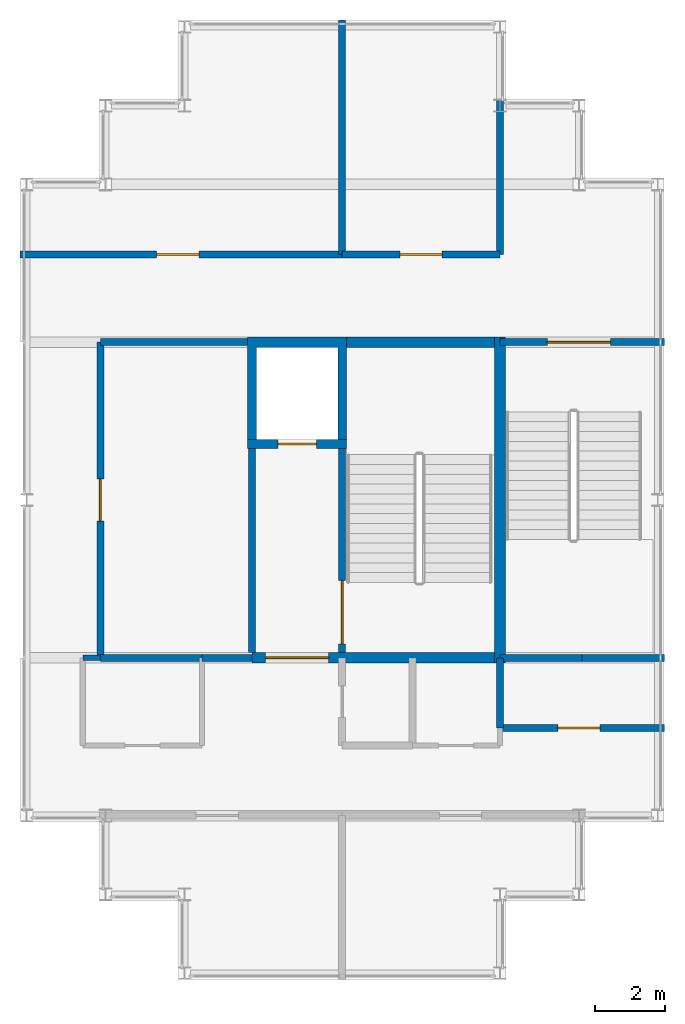
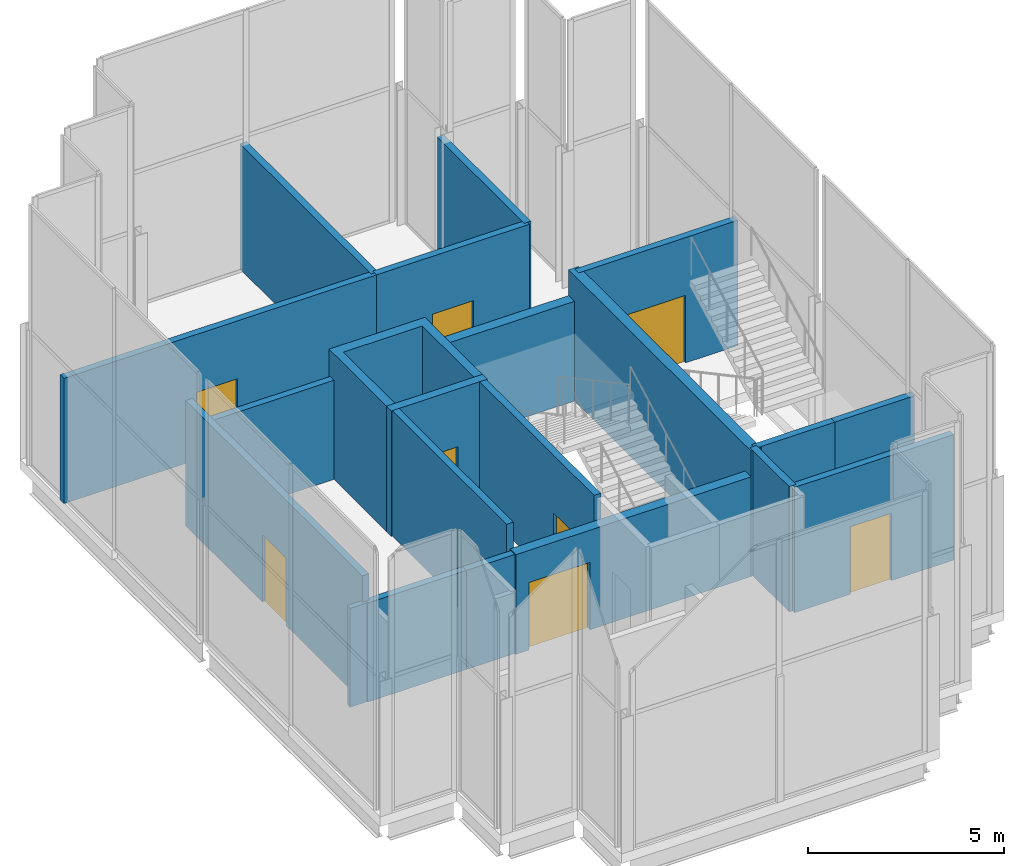
# One storey, part 5 of 8: 21 walls, 8 doors, 8 openings.
"""IFC4 building model written with IfcOpenShell, lengths in metres."""

from ifc_helpers import new_model, si_unit, direction, frame, frame_2d, origin, place, context, subcontext, project, spatial, polyline, rectangle, outline, extrude, material, layer, layer_set, type_object, element, fill, save


model = new_model("IFC4")

# Units and contexts
model_context = context("Model", 3, precision=1e-05, world=origin(), true_north=direction((0.0, 1.0)))
body_context = subcontext(model_context, "Body", "Model", "MODEL_VIEW")
ifc_project = project(units=[si_unit("LENGTHUNIT", "METRE"), si_unit("AREAUNIT", "SQUARE_METRE"), si_unit("VOLUMEUNIT", "CUBIC_METRE"), si_unit("PLANEANGLEUNIT", "RADIAN"), si_unit("MASSUNIT", "GRAM", prefix="KILO")], contexts=[model_context])

# Site, building, storey
site_placement = place(None, origin())
site = spatial("IfcSite", under=ifc_project, at=site_placement, CompositionType="ELEMENT")
building_placement = place(site_placement, origin())
building = spatial("IfcBuilding", under=site, at=building_placement, Name="Caravel Reach Hotel and Residences", CompositionType="ELEMENT")
storey_placement = place(building_placement, frame((0.0, 0.0, 325.39990234375)))
storey = spatial("IfcBuildingStorey", under=building, at=storey_placement, Name="L82", CompositionType="ELEMENT", Elevation=325.39990234375)

# Wall, opening, door
ifc_material_1 = material(Name="Autoclaved aerated block wall")
ifc_layer_1 = layer(ifc_material_1, 0.199951171875)
ifc_layer_set_1 = layer_set([ifc_layer_1], Name="Compartment wall 200 mm EI 120")
wall_type_1 = type_object("IfcWallType", Name="Compartment wall 200 mm EI 120", PredefinedType="PARTITIONING", material=ifc_layer_set_1)
wall_1_placement = place(storey_placement, frame((45.0, 20.5, 0.0), z_axis=(0.0, 0.0, 1.0), x_axis=(1.0, 0.0, 0.0)))
wall_1 = element("IfcWall", 1, at=wall_1_placement, inside=storey, type_object=wall_type_1, Name="L82 wall w010", PredefinedType="PARTITIONING", context=body_context, shape_type="SweptSolid", body=[
    extrude(rectangle(XDim=4.68994140625, YDim=0.199951171875, at=frame_2d((2.344970703125, 0.0))), origin(), (0.0, 0.0, 1.0), 3.900146484375),
])
opening_1_placement = place(wall_1_placement, frame((1.64990234375, 0.0, 0.0)))
opening_1 = element("IfcOpeningElement", 2, at=opening_1_placement, cuts=wall_1, Name="Opening D82-010", PredefinedType="OPENING", context=body_context, shape_type="SweptSolid", body=[
    extrude(rectangle(XDim=1.199951171875, YDim=2.10009765625, at=frame_2d((0.60009765625, 1.050048828125))), frame((0.0, 0.10986328125, 0.0), z_axis=(0.0, -1.0, 0.0), x_axis=(1.0, 0.0, 0.0)), (0.0, 0.0, 1.0), 0.219970703125),
])
ifc_material_2 = material(Name="Steel fire door leaf", Category="steel")
door_type_1 = type_object("IfcDoorType", Name="Plant room door 1200 x 2100 EI 60", OperationType="SINGLE_SWING_LEFT", PredefinedType="DOOR", material=ifc_material_2)
door_1_placement = place(opening_1_placement, origin())
door_1 = element("IfcDoor", 3, at=door_1_placement, inside=storey, type_object=door_type_1, Name="door D82-010", OperationType="SINGLE_SWING_RIGHT", OverallHeight=2.10009765625, OverallWidth=1.199951171875, PredefinedType="DOOR", context=body_context, shape_type="SweptSolid", body=[
    extrude(rectangle(XDim=1.199951171875, YDim=2.10009765625, at=frame_2d((0.60009765625, 1.050048828125))), frame((0.0, 0.02490234375, 0.0), z_axis=(0.0, -1.0, 0.0), x_axis=(1.0, 0.0, 0.0)), (0.0, 0.0, 1.0), 0.050048828125),
])
fill(opening_1, door_1)

# Walls
wall_2_placement = place(storey_placement, frame((36.5, 22.5, 0.0), z_axis=(0.0, 0.0, 1.0), x_axis=(1.0, 0.0, 0.0)))
element("IfcWall", 4, at=wall_2_placement, inside=storey, type_object=wall_type_1, Name="L82 wall w011", PredefinedType="PARTITIONING", context=body_context, shape_type="SweptSolid", body=[
    extrude(rectangle(XDim=1.428466796875, YDim=0.199951171875, at=frame_2d((0.71435546875, 0.0))), origin(), (0.0, 0.0, 1.0), 3.080078125),
])
wall_3_placement = place(storey_placement, frame((33.60009765625, 22.5, 0.0), z_axis=(0.0, 0.0, 1.0), x_axis=(1.0, 0.0, 0.0)))
element("IfcWall", 5, at=wall_3_placement, inside=storey, type_object=wall_type_1, Name="L82 wall w012", PredefinedType="PARTITIONING", context=body_context, shape_type="SweptSolid", body=[
    extrude(rectangle(XDim=2.89990234375, YDim=0.199951171875, at=frame_2d((1.449951171875, 0.0))), origin(), (0.0, 0.0, 1.0), 3.080078125),
])
wall_4_placement = place(storey_placement, frame((33.60009765625, 31.5, 0.0), z_axis=(0.0, 0.0, 1.0), x_axis=(1.0, 0.0, 0.0)))
element("IfcWall", 6, at=wall_4_placement, inside=storey, type_object=wall_type_1, Name="L82 wall w013", PredefinedType="PARTITIONING", context=body_context, shape_type="SweptSolid", body=[
    extrude(rectangle(XDim=4.203369140625, YDim=0.199951171875, at=frame_2d((2.1015625, 0.0))), origin(), (0.0, 0.0, 1.0), 3.080078125),
])

# Wall, opening, door
wall_5_placement = place(storey_placement, frame((31.31005859375, 34.0, 0.0), z_axis=(0.0, 0.0, 1.0), x_axis=(1.0, 0.0, 0.0)))
wall_5 = element("IfcWall", 7, at=wall_5_placement, inside=storey, type_object=wall_type_1, Name="L82 wall w014", PredefinedType="PARTITIONING", context=body_context, shape_type="SweptSolid", body=[
    extrude(rectangle(XDim=9.18994140625, YDim=0.199951171875, at=frame_2d((4.594970703125, 0.0))), origin(), (0.0, 0.0, 1.0), 3.900146484375),
])
opening_2_placement = place(wall_5_placement, frame((3.89990234375, 0.0, 0.0)))
opening_2 = element("IfcOpeningElement", 8, at=opening_2_placement, cuts=wall_5, Name="Opening D82-012", PredefinedType="OPENING", context=body_context, shape_type="SweptSolid", body=[
    extrude(rectangle(XDim=1.199951171875, YDim=2.10009765625, at=frame_2d((0.60009765625, 1.050048828125))), frame((0.0, 0.10986328125, 0.0), z_axis=(0.0, -1.0, 0.0), x_axis=(1.0, 0.0, 0.0)), (0.0, 0.0, 1.0), 0.219970703125),
])
door_2_placement = place(opening_2_placement, origin())
door_2 = element("IfcDoor", 9, at=door_2_placement, inside=storey, type_object=door_type_1, Name="door D82-012", OperationType="SINGLE_SWING_LEFT", OverallHeight=2.10009765625, OverallWidth=1.199951171875, PredefinedType="DOOR", context=body_context, shape_type="SweptSolid", body=[
    extrude(rectangle(XDim=1.199951171875, YDim=2.10009765625, at=frame_2d((0.60009765625, 1.050048828125))), frame((0.0, 0.02490234375, 0.0), z_axis=(0.0, -1.0, 0.0), x_axis=(1.0, 0.0, 0.0)), (0.0, 0.0, 1.0), 0.050048828125),
])
fill(opening_2, door_2)

wall_6_placement = place(storey_placement, frame((40.5, 34.0, 0.0), z_axis=(0.0, 0.0, 1.0), x_axis=(1.0, 0.0, 0.0)))
wall_6 = element("IfcWall", 10, at=wall_6_placement, inside=storey, type_object=wall_type_1, Name="L82 wall w015", PredefinedType="PARTITIONING", context=body_context, shape_type="SweptSolid", body=[
    extrude(rectangle(XDim=4.5, YDim=0.199951171875, at=frame_2d((2.25, 0.0))), origin(), (0.0, 0.0, 1.0), 3.900146484375),
])
opening_3_placement = place(wall_6_placement, frame((1.64990234375, 0.0, 0.0)))
opening_3 = element("IfcOpeningElement", 11, at=opening_3_placement, cuts=wall_6, Name="Opening D82-013", PredefinedType="OPENING", context=body_context, shape_type="SweptSolid", body=[
    extrude(rectangle(XDim=1.199951171875, YDim=2.10009765625, at=frame_2d((0.60009765625, 1.050048828125))), frame((0.0, 0.10986328125, 0.0), z_axis=(0.0, -1.0, 0.0), x_axis=(1.0, 0.0, 0.0)), (0.0, 0.0, 1.0), 0.219970703125),
])
door_3_placement = place(opening_3_placement, origin())
door_3 = element("IfcDoor", 12, at=door_3_placement, inside=storey, type_object=door_type_1, Name="door D82-013", OperationType="SINGLE_SWING_RIGHT", OverallHeight=2.10009765625, OverallWidth=1.199951171875, PredefinedType="DOOR", context=body_context, shape_type="SweptSolid", body=[
    extrude(rectangle(XDim=1.199951171875, YDim=2.10009765625, at=frame_2d((0.60009765625, 1.050048828125))), frame((0.0, 0.02490234375, 0.0), z_axis=(0.0, -1.0, 0.0), x_axis=(1.0, 0.0, 0.0)), (0.0, 0.0, 1.0), 0.050048828125),
])
fill(opening_3, door_3)

wall_7_placement = place(storey_placement, frame((33.60009765625, 22.5, 0.0), z_axis=(0.0, 0.0, 1.0), x_axis=(0.0, 1.0, 0.0)))
wall_7 = element("IfcWall", 13, at=wall_7_placement, inside=storey, type_object=wall_type_1, Name="L82 wall w016", PredefinedType="PARTITIONING", context=body_context, shape_type="SweptSolid", body=[
    extrude(rectangle(XDim=9.0, YDim=0.199951171875, at=frame_2d((4.5, 0.0))), origin(), (0.0, 0.0, 1.0), 3.900146484375),
])
opening_4_placement = place(wall_7_placement, frame((3.89990234375, 0.0, 0.0)))
opening_4 = element("IfcOpeningElement", 14, at=opening_4_placement, cuts=wall_7, Name="Opening D82-009", PredefinedType="OPENING", context=body_context, shape_type="SweptSolid", body=[
    extrude(rectangle(XDim=1.199951171875, YDim=2.10009765625, at=frame_2d((0.60009765625, 1.050048828125))), frame((0.0, 0.10986328125, 0.0), z_axis=(0.0, -1.0, 0.0), x_axis=(1.0, 0.0, 0.0)), (0.0, 0.0, 1.0), 0.219970703125),
])
door_4_placement = place(opening_4_placement, origin())
door_4 = element("IfcDoor", 15, at=door_4_placement, inside=storey, type_object=door_type_1, Name="door D82-009", OperationType="SINGLE_SWING_LEFT", OverallHeight=2.10009765625, OverallWidth=1.199951171875, PredefinedType="DOOR", context=body_context, shape_type="SweptSolid", body=[
    extrude(rectangle(XDim=1.199951171875, YDim=2.10009765625, at=frame_2d((0.60009765625, 1.050048828125))), frame((0.0, 0.02490234375, 0.0), z_axis=(0.0, -1.0, 0.0), x_axis=(1.0, 0.0, 0.0)), (0.0, 0.0, 1.0), 0.050048828125),
])
fill(opening_4, door_4)

# Walls
wall_8_placement = place(storey_placement, frame((40.5, 34.0, 0.0), z_axis=(0.0, 0.0, 1.0), x_axis=(0.0, 1.0, 0.0)))
element("IfcWall", 16, at=wall_8_placement, inside=storey, type_object=wall_type_1, Name="L82 wall w019", PredefinedType="PARTITIONING", context=body_context, shape_type="SweptSolid", body=[
    extrude(rectangle(XDim=6.68994140625, YDim=0.199951171875, at=frame_2d((3.344970703125, 0.0))), origin(), (0.0, 0.0, 1.0), 3.900146484375),
])
wall_9_placement = place(storey_placement, frame((45.0, 20.5, 0.0), z_axis=(0.0, 0.0, 1.0), x_axis=(0.0, 1.0, 0.0)))
element("IfcWall", 17, at=wall_9_placement, inside=storey, type_object=wall_type_1, Name="L82 wall w021", PredefinedType="PARTITIONING", context=body_context, shape_type="SweptSolid", body=[
    extrude(rectangle(XDim=2.0, YDim=0.199951171875, at=frame_2d((1.0, 0.0))), origin(), (0.0, 0.0, 1.0), 3.900146484375),
])
wall_10_placement = place(storey_placement, frame((45.0, 34.0, 0.0), z_axis=(0.0, 0.0, 1.0), x_axis=(0.0, 1.0, 0.0)))
element("IfcWall", 18, at=wall_10_placement, inside=storey, type_object=wall_type_1, Name="L82 wall w022", PredefinedType="PARTITIONING", context=body_context, shape_type="SweptSolid", body=[
    extrude(rectangle(XDim=4.43994140625, YDim=0.199951171875, at=frame_2d((2.219970703125, 0.0))), origin(), (0.0, 0.0, 1.0), 3.900146484375),
])

# Wall, opening, door
ifc_material_3 = material(Name="Concrete C60", Category="concrete")
ifc_layer_2 = layer(ifc_material_3, 0.300048828125)
ifc_layer_set_2 = layer_set([ifc_layer_2], Name="Core wall 300 mm EI 120")
wall_type_2 = type_object("IfcWallType", Name="Core wall 300 mm EI 120", PredefinedType="SHEAR", material=ifc_layer_set_2)
wall_11_placement = place(storey_placement, frame((37.928466796875, 22.5, 0.0), z_axis=(0.0, 0.0, 1.0), x_axis=(1.0, 0.0, 0.0)))
wall_11 = element("IfcWall", 19, at=wall_11_placement, inside=storey, type_object=wall_type_2, Name="L82 core wall S1", PredefinedType="SHEAR", context=body_context, shape_type="SweptSolid", body=[
    extrude(rectangle(XDim=6.921630859375, YDim=0.300048828125, at=frame_2d((3.4609375, 0.0))), origin(), (0.0, 0.0, 1.0), 3.10009765625),
])
opening_5_placement = place(wall_11_placement, frame((0.3857421875, 0.0, 0.0)))
opening_5 = element("IfcOpeningElement", 20, at=opening_5_placement, cuts=wall_11, Name="Opening D82-003", PredefinedType="OPENING", context=body_context, shape_type="SweptSolid", body=[
    extrude(rectangle(XDim=1.800048828125, YDim=2.10009765625, at=frame_2d((0.89990234375, 1.050048828125))), frame((0.0, 0.159912109375, 0.0), z_axis=(0.0, -1.0, 0.0), x_axis=(1.0, 0.0, 0.0)), (0.0, 0.0, 1.0), 0.320068359375),
])
ifc_material_4 = material(Name="Steel fire door leaf", Category="steel")
door_type_2 = type_object("IfcDoorType", Name="Fire lobby door pair 1800 x 2100 EI 90", OperationType="DOUBLE_DOOR_SINGLE_SWING", PredefinedType="DOOR", material=ifc_material_4)
door_5_placement = place(opening_5_placement, origin())
door_5 = element("IfcDoor", 21, at=door_5_placement, inside=storey, type_object=door_type_2, Name="lobby S door pair to corridor", OperationType="DOUBLE_DOOR_SINGLE_SWING", OverallHeight=2.10009765625, OverallWidth=1.800048828125, PredefinedType="DOOR", context=body_context, shape_type="SweptSolid", body=[
    extrude(rectangle(XDim=1.800048828125, YDim=2.10009765625, at=frame_2d((0.89990234375, 1.050048828125))), frame((0.0, 0.02490234375, 0.0), z_axis=(0.0, -1.0, 0.0), x_axis=(1.0, 0.0, 0.0)), (0.0, 0.0, 1.0), 0.050048828125),
])
fill(opening_5, door_5)

# Walls
wall_12_placement = place(storey_placement, frame((40.625, 31.5, 0.0), z_axis=(0.0, 0.0, 1.0), x_axis=(1.0, 0.0, 0.0)))
element("IfcWall", 22, at=wall_12_placement, inside=storey, type_object=wall_type_2, Name="L82 core wall N1", PredefinedType="SHEAR", context=body_context, shape_type="SweptSolid", body=[
    extrude(rectangle(XDim=4.22509765625, YDim=0.300048828125, at=frame_2d((2.112548828125, 0.0))), origin(), (0.0, 0.0, 1.0), 3.10009765625),
])
wall_13_placement = place(storey_placement, frame((45.0, 22.35009765625, 0.0), z_axis=(0.0, 0.0, 1.0), x_axis=(0.0, 1.0, 0.0)))
element("IfcWall", 23, at=wall_13_placement, inside=storey, type_object=wall_type_2, Name="L82 core wall E", PredefinedType="SHEAR", context=body_context, shape_type="SweptSolid", body=[
    extrude(rectangle(XDim=9.2998046875, YDim=0.300048828125, at=frame_2d((4.64990234375, 0.0))), origin(), (0.0, 0.0, 1.0), 3.900146484375),
])
ifc_material_5 = material(Name="Gypsum board on steel stud, fire-rated", Category="steel")
ifc_layer_3 = layer(ifc_material_5, 0.14990234375)
ifc_layer_set_3 = layer_set([ifc_layer_3], Name="Corridor wall 150 mm EI 60")
wall_type_3 = type_object("IfcWallType", Name="Corridor wall 150 mm EI 60", PredefinedType="PARTITIONING", material=ifc_layer_set_3)
wall_14_placement = place(storey_placement, frame((33.10009765625, 22.5, 0.0), z_axis=(0.0, 0.0, 1.0), x_axis=(1.0, 0.0, 0.0)))
element("IfcWall", 24, at=wall_14_placement, inside=storey, type_object=wall_type_3, Name="L82 wall w003", PredefinedType="PARTITIONING", context=body_context, shape_type="SweptSolid", body=[
    extrude(rectangle(XDim=0.5, YDim=0.14990234375, at=frame_2d((0.25, 0.0))), origin(), (0.0, 0.0, 1.0), 3.080078125),
])
ifc_material_6 = material(Name="Autoclaved aerated block wall")
ifc_layer_4 = layer(ifc_material_6, 0.199951171875)
ifc_layer_set_4 = layer_set([ifc_layer_4], Name="Fire lobby wall 200 mm EI 120")
wall_type_4 = type_object("IfcWallType", Name="Fire lobby wall 200 mm EI 120", PredefinedType="PARTITIONING", material=ifc_layer_set_4)
wall_15_placement = place(storey_placement, frame((37.928466796875, 22.64990234375, 0.0), z_axis=(0.0, 0.0, 1.0), x_axis=(0.0, 1.0, 0.0)))
element("IfcWall", 25, at=wall_15_placement, inside=storey, type_object=wall_type_4, Name="L82 lobby E closing wall", PredefinedType="PARTITIONING", context=body_context, shape_type="SweptSolid", body=[
    extrude(rectangle(XDim=5.8251953125, YDim=0.199951171875, at=frame_2d((2.91259765625, 0.0))), origin(), (0.0, 0.0, 1.0), 3.900146484375),
])
ifc_material_7 = material(Name="Concrete C60", Category="concrete")
ifc_layer_5 = layer(ifc_material_7, 0.25)
ifc_layer_set_5 = layer_set([ifc_layer_5], Name="Shaft wall 250 mm EI 120")
wall_type_5 = type_object("IfcWallType", Name="Shaft wall 250 mm EI 120", PredefinedType="SHEAR", material=ifc_layer_set_5)
wall_16_placement = place(storey_placement, origin())
element("IfcWall", 26, at=wall_16_placement, inside=storey, type_object=wall_type_5, Name="L82 lift shaft wall N1", PredefinedType="SHEAR", context=body_context, shape_type="SweptSolid", body=[
    extrude(outline(polyline([(37.803466796875, 28.72509765625), (38.053466796875, 28.72509765625), (38.053466796875, 31.35009765625), (40.375, 31.35009765625), (40.375, 28.72509765625), (40.625, 28.72509765625), (40.625, 31.64990234375), (37.803466796875, 31.64990234375), (37.803466796875, 28.72509765625)])), origin(), (0.0, 0.0, 1.0), 3.900146484375),
])

# Wall, opening, door
wall_17_placement = place(storey_placement, frame((37.803466796875, 28.60009765625, 0.0), z_axis=(0.0, 0.0, 1.0), x_axis=(1.0, 0.0, 0.0)))
wall_17 = element("IfcWall", 27, at=wall_17_placement, inside=storey, type_object=wall_type_5, Name="L82 lobby wall N1", PredefinedType="SHEAR", context=body_context, shape_type="SweptSolid", body=[
    extrude(rectangle(XDim=2.821533203125, YDim=0.25, at=frame_2d((1.41064453125, 0.0))), origin(), (0.0, 0.0, 1.0), 3.900146484375),
])
opening_6_placement = place(wall_17_placement, frame((0.860595703125, 0.0, 0.0)))
opening_6 = element("IfcOpeningElement", 28, at=opening_6_placement, cuts=wall_17, Name="Opening D82-001", PredefinedType="OPENING", context=body_context, shape_type="SweptSolid", body=[
    extrude(rectangle(XDim=1.10009765625, YDim=2.10009765625, at=frame_2d((0.550048828125, 1.050048828125))), frame((0.0, 0.135009765625, 0.0), z_axis=(0.0, -1.0, 0.0), x_axis=(1.0, 0.0, 0.0)), (0.0, 0.0, 1.0), 0.27001953125),
])
ifc_material_8 = material(Name="Stainless steel landing door", Category="steel")
door_type_3 = type_object("IfcDoorType", Name="Landing door LD 1100 x 2100 sliding", OperationType="DOUBLE_DOOR_SLIDING", PredefinedType="DOOR", material=ifc_material_8)
door_6_placement = place(opening_6_placement, origin())
door_6 = element("IfcDoor", 29, at=door_6_placement, inside=storey, type_object=door_type_3, Name="FL2 landing door", OperationType="DOUBLE_DOOR_SLIDING", OverallHeight=2.10009765625, OverallWidth=1.10009765625, PredefinedType="DOOR", context=body_context, shape_type="SweptSolid", body=[
    extrude(rectangle(XDim=1.10009765625, YDim=2.10009765625, at=frame_2d((0.550048828125, 1.050048828125))), frame((0.0, 0.02490234375, 0.0), z_axis=(0.0, -1.0, 0.0), x_axis=(1.0, 0.0, 0.0)), (0.0, 0.0, 1.0), 0.050048828125),
])
fill(opening_6, door_6)

ifc_material_9 = material(Name="Concrete C60", Category="concrete")
ifc_layer_6 = layer(ifc_material_9, 0.199951171875)
ifc_layer_set_6 = layer_set([ifc_layer_6], Name="Stair enclosure wall 200 mm EI 120")
wall_type_6 = type_object("IfcWallType", Name="Stair enclosure wall 200 mm EI 120", PredefinedType="SHEAR", material=ifc_layer_set_6)
wall_18_placement = place(storey_placement, frame((40.5, 22.64990234375, 0.0), z_axis=(0.0, 0.0, 1.0), x_axis=(0.0, 1.0, 0.0)))
wall_18 = element("IfcWall", 30, at=wall_18_placement, inside=storey, type_object=wall_type_6, Name="L82 stair B wall", PredefinedType="SHEAR", context=body_context, shape_type="SweptSolid", body=[
    extrude(rectangle(XDim=5.8251953125, YDim=0.199951171875, at=frame_2d((2.91259765625, 0.0))), origin(), (0.0, 0.0, 1.0), 3.900146484375),
])
opening_7_placement = place(wall_18_placement, frame((0.25, 0.0, 0.0)))
opening_7 = element("IfcOpeningElement", 31, at=opening_7_placement, cuts=wall_18, Name="Opening D82-002", PredefinedType="OPENING", context=body_context, shape_type="SweptSolid", body=[
    extrude(rectangle(XDim=1.800048828125, YDim=2.10009765625, at=frame_2d((0.89990234375, 1.050048828125))), frame((0.0, 0.10986328125, 0.0), z_axis=(0.0, -1.0, 0.0), x_axis=(1.0, 0.0, 0.0)), (0.0, 0.0, 1.0), 0.219970703125),
])
ifc_material_10 = material(Name="Steel fire door leaf", Category="steel")
door_type_4 = type_object("IfcDoorType", Name="Stair door pair 1800 x 2100 EI 90", OperationType="DOUBLE_DOOR_SINGLE_SWING", PredefinedType="DOOR", material=ifc_material_10)
door_7_placement = place(opening_7_placement, origin())
door_7 = element("IfcDoor", 32, at=door_7_placement, inside=storey, type_object=door_type_4, Name="stair B door pair", OperationType="DOUBLE_DOOR_SINGLE_SWING", OverallHeight=2.10009765625, OverallWidth=1.800048828125, PredefinedType="DOOR", context=body_context, shape_type="SweptSolid", body=[
    extrude(rectangle(XDim=1.800048828125, YDim=2.10009765625, at=frame_2d((0.89990234375, 1.050048828125))), frame((0.0, 0.02490234375, 0.0), z_axis=(0.0, -1.0, 0.0), x_axis=(1.0, 0.0, 0.0)), (0.0, 0.0, 1.0), 0.050048828125),
])
fill(opening_7, door_7)

# Wall
wall_19_placement = place(storey_placement, frame((45.0, 22.5, 0.0), z_axis=(0.0, 0.0, 1.0), x_axis=(1.0, 0.0, 0.0)))
element("IfcWall", 33, at=wall_19_placement, inside=storey, type_object=wall_type_6, Name="L82 wall w023", PredefinedType="SHEAR", context=body_context, shape_type="SweptSolid", body=[
    extrude(rectangle(XDim=2.344970703125, YDim=0.199951171875, at=frame_2d((1.17236328125, 0.0))), origin(), (0.0, 0.0, 1.0), 3.900146484375),
])

# Wall, opening, door
wall_20_placement = place(storey_placement, frame((45.0, 31.5, 0.0), z_axis=(0.0, 0.0, 1.0), x_axis=(1.0, 0.0, 0.0)))
wall_20 = element("IfcWall", 34, at=wall_20_placement, inside=storey, type_object=wall_type_6, Name="L82 wall w024", PredefinedType="SHEAR", context=body_context, shape_type="SweptSolid", body=[
    extrude(rectangle(XDim=4.68994140625, YDim=0.199951171875, at=frame_2d((2.344970703125, 0.0))), origin(), (0.0, 0.0, 1.0), 3.900146484375),
])
opening_8_placement = place(wall_20_placement, frame((1.35009765625, 0.0, 0.0)))
opening_8 = element("IfcOpeningElement", 35, at=opening_8_placement, cuts=wall_20, Name="Opening D82-004", PredefinedType="OPENING", context=body_context, shape_type="SweptSolid", body=[
    extrude(rectangle(XDim=1.800048828125, YDim=2.10009765625, at=frame_2d((0.89990234375, 1.050048828125))), frame((0.0, 0.10986328125, 0.0), z_axis=(0.0, -1.0, 0.0), x_axis=(1.0, 0.0, 0.0)), (0.0, 0.0, 1.0), 0.219970703125),
])
door_8_placement = place(opening_8_placement, origin())
door_8 = element("IfcDoor", 36, at=door_8_placement, inside=storey, type_object=door_type_4, Name="door D82-004", OperationType="DOUBLE_DOOR_SINGLE_SWING", OverallHeight=2.10009765625, OverallWidth=1.800048828125, PredefinedType="DOOR", context=body_context, shape_type="SweptSolid", body=[
    extrude(rectangle(XDim=1.800048828125, YDim=2.10009765625, at=frame_2d((0.89990234375, 1.050048828125))), frame((0.0, 0.02490234375, 0.0), z_axis=(0.0, -1.0, 0.0), x_axis=(1.0, 0.0, 0.0)), (0.0, 0.0, 1.0), 0.050048828125),
])
fill(opening_8, door_8)

# Wall
wall_21_placement = place(storey_placement, frame((47.344970703125, 22.5, 0.0), z_axis=(0.0, 0.0, 1.0), x_axis=(1.0, 0.0, 0.0)))
element("IfcWall", 37, at=wall_21_placement, inside=storey, type_object=wall_type_6, Name="L82 wall w023", PredefinedType="SHEAR", context=body_context, shape_type="SweptSolid", body=[
    extrude(rectangle(XDim=2.344970703125, YDim=0.199951171875, at=frame_2d((1.17236328125, 0.0))), origin(), (0.0, 0.0, 1.0), 3.900146484375),
])

save(model, "model.ifc")
